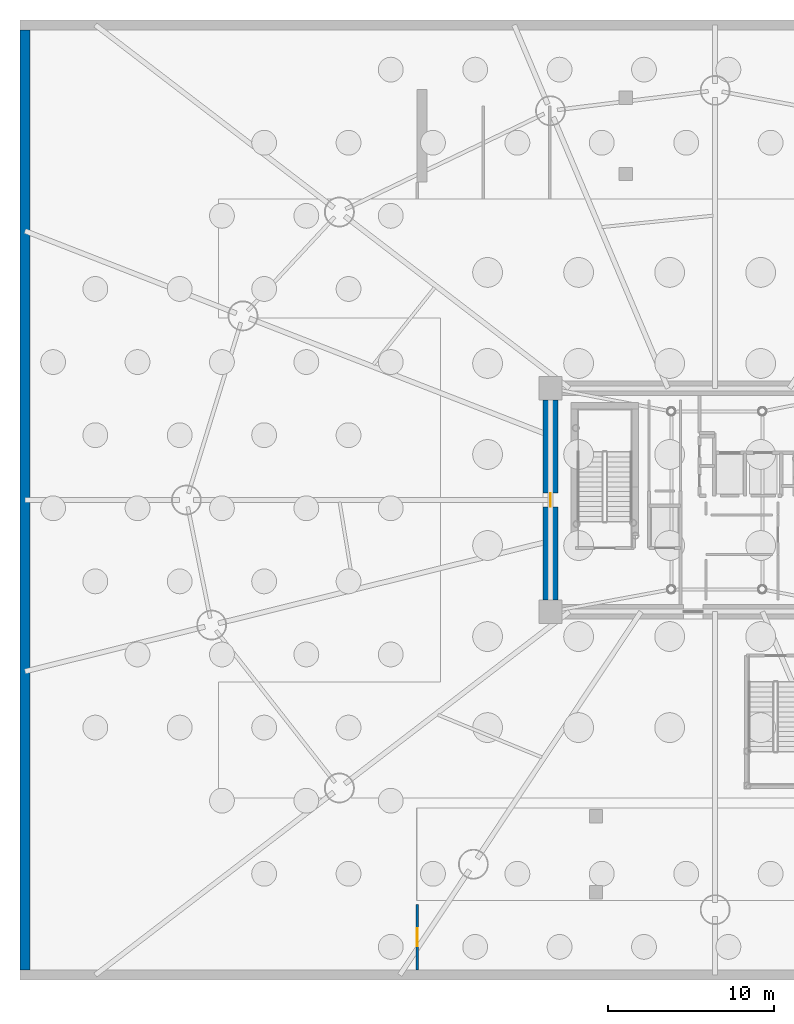
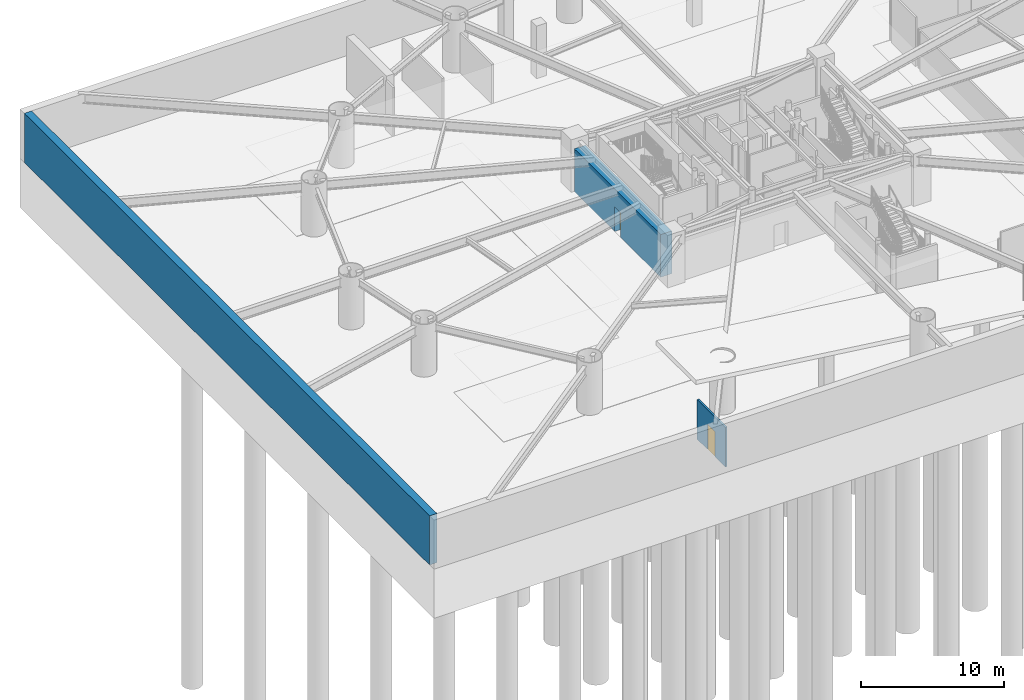
# One storey, part 8 of 18: 3 walls, 2 doors, 2 openings.
"""IFC4 building model written with IfcOpenShell, lengths in metres."""

from ifc_helpers import new_model, si_unit, direction, frame, frame_2d, origin, origin_2d, place, context, subcontext, project, spatial, rectangle, extrude, source, transform, mapped, material, layer, layer_set, type_object, element, fill, save


model = new_model("IFC4")

# Units and contexts
model_context = context("Model", 3, precision=1e-05, world=origin(), true_north=direction((0.0, 1.0)))
body_context = subcontext(model_context, "Body", "Model", "MODEL_VIEW")
ifc_project = project(units=[si_unit("LENGTHUNIT", "METRE"), si_unit("AREAUNIT", "SQUARE_METRE"), si_unit("VOLUMEUNIT", "CUBIC_METRE"), si_unit("PLANEANGLEUNIT", "RADIAN"), si_unit("MASSUNIT", "GRAM", prefix="KILO")], contexts=[model_context])

# Site, building, storey
site_placement = place(None, origin())
site = spatial("IfcSite", under=ifc_project, at=site_placement, CompositionType="ELEMENT")
building_placement = place(site_placement, origin())
building = spatial("IfcBuilding", under=site, at=building_placement, Name="Linh Dai School and Residence Tower", CompositionType="ELEMENT")
storey_placement = place(building_placement, frame((0.0, 0.0, -9.0)))
storey = spatial("IfcBuildingStorey", under=building, at=storey_placement, Name="B02", CompositionType="ELEMENT", Elevation=-9.0)

# Wall, opening, door
ifc_material_1 = material(Name="Autoclaved Aerated Concrete Blockwork", Category="masonry")
ifc_layer_1 = layer(ifc_material_1, 0.14990234375)
ifc_layer_set_1 = layer_set([ifc_layer_1], Name="Autoclaved Aerated Concrete Blockwork")
wall_type_1 = type_object("IfcWallType", Name="IW-SCH-150-EI60", PredefinedType="PARTITIONING", material=ifc_layer_set_1)
wall_1_placement = place(storey_placement, frame((18.0, -1.39990234375, 0.0), z_axis=(0.0, 0.0, 1.0), x_axis=(0.0, 1.0, 0.0)))
wall_1 = element("IfcWall", 1, at=wall_1_placement, inside=storey, type_object=wall_type_1, Name="B02 Interior Partition Wall 001", PredefinedType="PARTITIONING", context=body_context, shape_type="SweptSolid", body=[
    extrude(rectangle(XDim=3.949951171875, YDim=0.14990234375, at=frame_2d((1.97509765625, 0.0))), origin(), (0.0, 0.0, 1.0), 3.385009765625),
])
opening_1_placement = place(wall_1_placement, frame((1.425048828125, 0.0, 0.0)))
opening_1 = element("IfcOpeningElement", 2, at=opening_1_placement, cuts=wall_1, Name="Opening D07", PredefinedType="OPENING", context=body_context, shape_type="SweptSolid", body=[
    extrude(rectangle(XDim=1.10009765625, YDim=2.14990234375, at=origin_2d()), frame((0.550048828125, 0.0849609375, 1.074951171875), z_axis=(0.0, -1.0, 0.0), x_axis=(1.0, 0.0, 0.0)), (0.0, 0.0, 1.0), 0.169921875),
])
ifc_material_2 = material(Name="Fire-Rated Louvred Steel Plant Door", Category="steel")
door_type_1 = type_object("IfcDoorType", Name="DR-PLT-1100x2150-FD60S", OperationType="NOTDEFINED", PredefinedType="DOOR", material=ifc_material_2)
shared_shape_1 = source(origin(), body_context, "Body", "SweptSolid", [
    extrude(rectangle(XDim=1.10009765625, YDim=2.14990234375, at=origin_2d()), frame((0.550048828125, 0.02490234375, 1.074951171875), z_axis=(0.0, -1.0, 0.0), x_axis=(1.0, 0.0, 0.0)), (0.0, 0.0, 1.0), 0.050048828125),
])
door_1_placement = place(opening_1_placement, origin())
door_1 = element("IfcDoor", 3, at=door_1_placement, inside=storey, type_object=door_type_1, Name="B02 Domestic and Fire Water Storage Tank Plant Room Door", OperationType="SINGLE_SWING_LEFT", OverallHeight=2.14990234375, OverallWidth=1.10009765625, PredefinedType="DOOR", context=body_context, shape_type="MappedRepresentation", body=[
    mapped(shared_shape_1, transform((0.0, 0.0, 0.0), x_axis=(1.0, 0.0, 0.0), y_axis=(0.0, 1.0, 0.0), z_axis=(0.0, 0.0, 1.0), scale=1.0)),
])
fill(opening_1, door_1)

ifc_material_3 = material(Name="Concrete B60 (C50/60)", Category="concrete")
ifc_layer_2 = layer(ifc_material_3, 0.89990234375)
ifc_layer_set_2 = layer_set([ifc_layer_2], Name="Concrete B60 (C50/60)")
wall_type_2 = type_object("IfcWallType", Name="WL-CORE900", PredefinedType="SHEAR", material=ifc_layer_set_2)
wall_2_placement = place(storey_placement, frame((26.050048828125, 20.949951171875, 0.0), z_axis=(0.0, 0.0, 1.0), x_axis=(0.0, 1.0, 0.0)))
wall_2 = element("IfcWall", 4, at=wall_2_placement, inside=storey, type_object=wall_type_2, Name="B02 Central Core Shear Wall W", PredefinedType="SHEAR", context=body_context, shape_type="SweptSolid", body=[
    extrude(rectangle(XDim=12.10009765625, YDim=0.89990234375, at=frame_2d((6.050048828125, 0.0))), origin(), (0.0, 0.0, 1.0), 3.64990234375),
])
opening_2_placement = place(wall_2_placement, frame((5.639892578125, 0.0, 0.0)))
opening_2 = element("IfcOpeningElement", 5, at=opening_2_placement, cuts=wall_2, Name="Opening D06", PredefinedType="OPENING", context=body_context, shape_type="SweptSolid", body=[
    extrude(rectangle(XDim=0.820068359375, YDim=2.10009765625, at=origin_2d()), frame((0.41015625, 0.4599609375, 1.050048828125), z_axis=(0.0, -1.0, 0.0), x_axis=(1.0, 0.0, 0.0)), (0.0, 0.0, 1.0), 0.919921875),
])
ifc_material_4 = material(Name="Moisture-Resistant Timber Bathroom Door", Category="wood")
door_type_2 = type_object("IfcDoorType", Name="DR-WET-820x2100", OperationType="NOTDEFINED", PredefinedType="DOOR", material=ifc_material_4)
shared_shape_2 = source(origin(), body_context, "Body", "SweptSolid", [
    extrude(rectangle(XDim=0.820068359375, YDim=2.10009765625, at=origin_2d()), frame((0.41015625, 0.02490234375, 1.050048828125), z_axis=(0.0, -1.0, 0.0), x_axis=(1.0, 0.0, 0.0)), (0.0, 0.0, 1.0), 0.050048828125),
])
door_2_placement = place(opening_2_placement, origin())
door_2 = element("IfcDoor", 6, at=door_2_placement, inside=storey, type_object=door_type_2, Name="B02 Firefighting Lobby Door", OperationType="SINGLE_SWING_RIGHT", OverallHeight=2.10009765625, OverallWidth=0.820068359375, PredefinedType="DOOR", context=body_context, shape_type="MappedRepresentation", body=[
    mapped(shared_shape_2, transform((0.0, 0.0, 0.0), x_axis=(1.0, 0.0, 0.0), y_axis=(0.0, 1.0, 0.0), z_axis=(0.0, 0.0, 1.0), scale=1.0)),
])
fill(opening_2, door_2)

# Wall
ifc_material_5 = material(Name="Concrete B45 (C35/45)", Category="concrete")
ifc_layer_3 = layer(ifc_material_5, 0.60009765625)
ifc_layer_set_3 = layer_set([ifc_layer_3], Name="Concrete B45 (C35/45)")
wall_type_3 = type_object("IfcWallType", Name="WL-RET600", PredefinedType="SHEAR", material=ifc_layer_set_3)
wall_3_placement = place(storey_placement, frame((-5.699951171875, -1.39990234375, 0.0), z_axis=(0.0, 0.0, 1.0), x_axis=(0.0, 1.0, 0.0)))
element("IfcWall", 7, at=wall_3_placement, inside=storey, type_object=wall_type_3, Name="B02 Basement Perimeter Retaining Wall W", PredefinedType="SHEAR", context=body_context, shape_type="SweptSolid", body=[
    extrude(rectangle(XDim=56.7998046875, YDim=0.60009765625, at=frame_2d((28.39990234375, 0.0))), origin(), (0.0, 0.0, 1.0), 4.199951171875),
])

save(model, "model.ifc")
